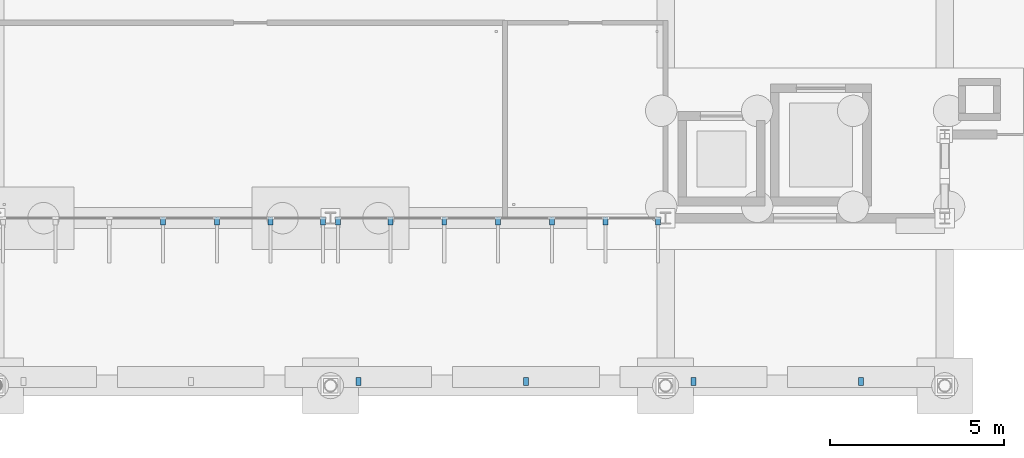
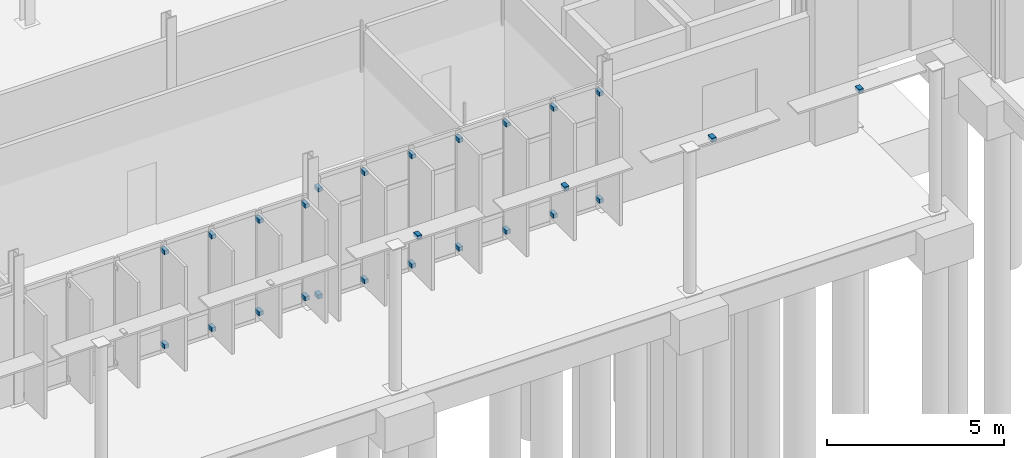
# One storey, part 99 of 111: 26 discrete accessories.
"""IFC4 building model written with IfcOpenShell, lengths in metres."""

from ifc_helpers import new_model, si_unit, direction, frame, origin, origin_2d, place, context, subcontext, project, spatial, rectangle, extrude, material, type_object, element, save


model = new_model("IFC4")

# Units and contexts
model_context = context("Model", 3, precision=1e-05, world=origin(), true_north=direction((0.0, 1.0)))
body_context = subcontext(model_context, "Body", "Model", "MODEL_VIEW")
ifc_project = project(units=[si_unit("LENGTHUNIT", "METRE"), si_unit("AREAUNIT", "SQUARE_METRE"), si_unit("VOLUMEUNIT", "CUBIC_METRE"), si_unit("PLANEANGLEUNIT", "RADIAN"), si_unit("MASSUNIT", "GRAM", prefix="KILO")], contexts=[model_context])

# Site, building, storey
site_placement = place(None, origin())
site = spatial("IfcSite", under=ifc_project, at=site_placement, CompositionType="ELEMENT")
building_placement = place(site_placement, origin())
building = spatial("IfcBuilding", under=site, at=building_placement, Name="Dunescarp Central Library", CompositionType="ELEMENT")
storey_placement = place(building_placement, origin())
storey = spatial("IfcBuildingStorey", under=building, at=storey_placement, Name="L00", CompositionType="ELEMENT", Elevation=0.0)

# Discrete accessories
ifc_material = material(Name="Stainless steel Grade 316L", Category="steel")
discrete_accessory_type = type_object("IfcDiscreteAccessoryType", Name="ARC-ACC-BRK", PredefinedType="BRACKET", material=ifc_material)
for number, where, z_axis, x_axis, name in (
    (1, (106.985107421875, 4.719970703125, 0.27685546875), (0.0, 0.0, 1.0), (0.0, -1.0, 0.0), "Fin bracket BRK-FIN-L00-0566-B"),
    (2, (106.985107421875, 4.719970703125, 3.47509765625), (0.0, 0.0, 1.0), (0.0, -1.0, 0.0), "Fin bracket BRK-FIN-L00-0566-T"),
    (3, (105.48291015625, 4.719970703125, 0.2900390625), (0.0, 0.0, 1.0), (0.0, -1.0, 0.0), "Fin bracket BRK-FIN-L00-0567-B"),
    (4, (105.48291015625, 4.719970703125, 3.47509765625), (0.0, 0.0, 1.0), (0.0, -1.0, 0.0), "Fin bracket BRK-FIN-L00-0567-T"),
    (5, (103.94189453125, 4.719970703125, 0.27392578125), (0.0, 0.0, 1.0), (0.0, -1.0, 0.0), "Fin bracket BRK-FIN-L00-0568-B"),
    (6, (103.94189453125, 4.719970703125, 3.47509765625), (0.0, 0.0, 1.0), (0.0, -1.0, 0.0), "Fin bracket BRK-FIN-L00-0568-T"),
    (7, (102.39990234375, 4.719970703125, 0.23291015625), (0.0, 0.0, 1.0), (0.0, -1.0, 0.0), "Fin bracket BRK-FIN-L00-0569-B"),
    (8, (102.39990234375, 4.719970703125, 3.47509765625), (0.0, 0.0, 1.0), (0.0, -1.0, 0.0), "Fin bracket BRK-FIN-L00-0569-T"),
    (9, (116.5849609375, 4.719970703125, 0.27685546875), (0.0, 0.0, 1.0), (0.0, -1.0, 0.0), "Fin bracket BRK-FIN-L00-0573-B"),
    (10, (116.5849609375, 4.719970703125, 3.97509765625), (0.0, 0.0, 1.0), (0.0, -1.0, 0.0), "Fin bracket BRK-FIN-L00-0573-T"),
    (11, (115.0830078125, 4.719970703125, 0.2900390625), (0.0, 0.0, 1.0), (0.0, -1.0, 0.0), "Fin bracket BRK-FIN-L00-0574-B"),
    (12, (115.0830078125, 4.719970703125, 3.97509765625), (0.0, 0.0, 1.0), (0.0, -1.0, 0.0), "Fin bracket BRK-FIN-L00-0574-T"),
    (13, (113.5419921875, 4.719970703125, 0.27392578125), (0.0, 0.0, 1.0), (0.0, -1.0, 0.0), "Fin bracket BRK-FIN-L00-0575-B"),
    (14, (113.5419921875, 4.719970703125, 3.97509765625), (0.0, 0.0, 1.0), (0.0, -1.0, 0.0), "Fin bracket BRK-FIN-L00-0575-T"),
    (15, (112.0, 4.719970703125, 0.23291015625), (0.0, 0.0, 1.0), (0.0, -1.0, 0.0), "Fin bracket BRK-FIN-L00-0576-B"),
    (16, (112.0, 4.719970703125, 3.97509765625), (0.0, 0.0, 1.0), (0.0, -1.0, 0.0), "Fin bracket BRK-FIN-L00-0576-T"),
    (17, (110.4580078125, 4.719970703125, 0.18994140625), (0.0, 0.0, 1.0), (0.0, -1.0, 0.0), "Fin bracket BRK-FIN-L00-0577-B"),
    (18, (110.4580078125, 4.719970703125, 3.9638671875), (0.0, 0.0, 1.0), (0.0, -1.0, 0.0), "Fin bracket BRK-FIN-L00-0577-T"),
    (19, (108.9169921875, 4.719970703125, 0.18994140625), (0.0, 0.0, 1.0), (0.0, -1.0, 0.0), "Fin bracket BRK-FIN-L00-0578-B"),
    (20, (108.9169921875, 4.719970703125, 3.9140625), (0.0, 0.0, 1.0), (0.0, -1.0, 0.0), "Fin bracket BRK-FIN-L00-0578-T"),
    (21, (107.4150390625, 4.719970703125, 0.18994140625), (0.0, 0.0, 1.0), (0.0, -1.0, 0.0), "Fin bracket BRK-FIN-L00-0579-B"),
    (22, (107.4150390625, 4.719970703125, 3.880859375), (0.0, 0.0, 1.0), (0.0, -1.0, 0.0), "Fin bracket BRK-FIN-L00-0579-T"),
):
    element("IfcDiscreteAccessory", number, at=place(storey_placement, frame(where, z_axis=z_axis, x_axis=x_axis)), inside=storey, type_object=discrete_accessory_type, Name=name, PredefinedType="BRACKET", context=body_context, shape_type="SweptSolid", body=[
        extrude(rectangle(XDim=0.219970703125, YDim=0.139892578125, at=origin_2d()), origin(), (0.0, 0.0, 1.0), 0.139892578125),
    ])
for number, where, z_axis, x_axis, name in (
    (23, (108.0, 0.1201171875, 4.81982421875), (0.0, 0.0, 1.0), (1.0, 0.0, 0.0), "Louvre bracket 021"),
    (24, (112.800048828125, 0.1201171875, 4.81982421875), (0.0, 0.0, 1.0), (1.0, 0.0, 0.0), "Louvre bracket 022"),
    (25, (117.60009765625, 0.1201171875, 4.81982421875), (0.0, 0.0, 1.0), (1.0, 0.0, 0.0), "Louvre bracket 023"),
    (26, (122.39990234375, 0.1201171875, 4.81982421875), (0.0, 0.0, 1.0), (1.0, 0.0, 0.0), "Louvre bracket 024"),
):
    element("IfcDiscreteAccessory", number, at=place(storey_placement, frame(where, z_axis=z_axis, x_axis=x_axis)), inside=storey, type_object=discrete_accessory_type, Name=name, PredefinedType="BRACKET", context=body_context, shape_type="SweptSolid", body=[
        extrude(rectangle(XDim=0.139892578125, YDim=0.219970703125, at=origin_2d()), origin(), (0.0, 0.0, 1.0), 0.139892578125),
    ])

save(model, "model.ifc")
